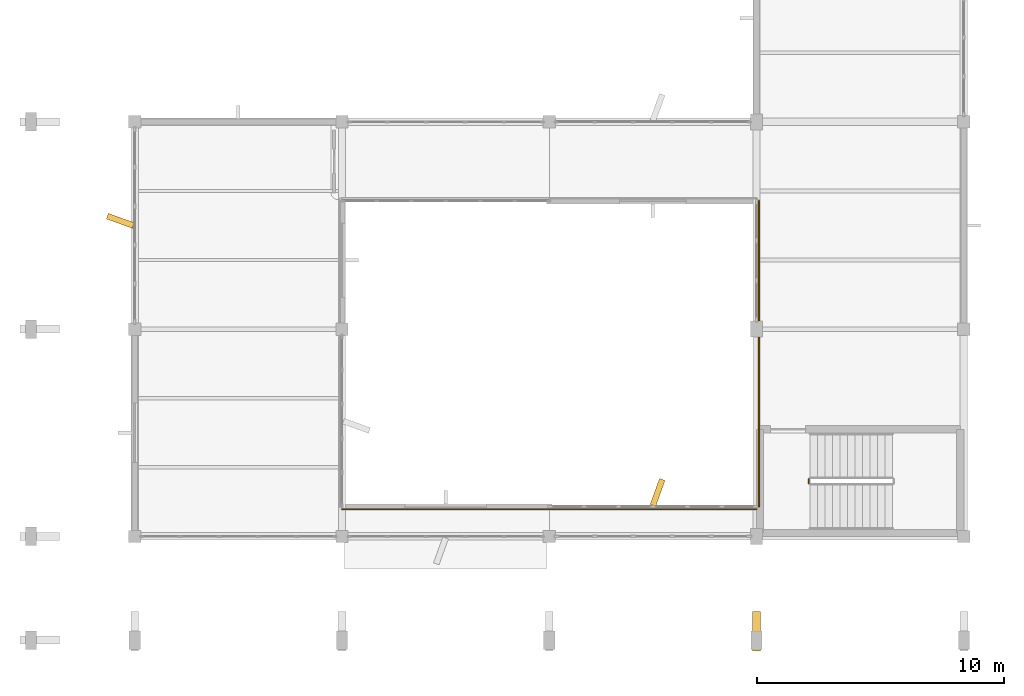
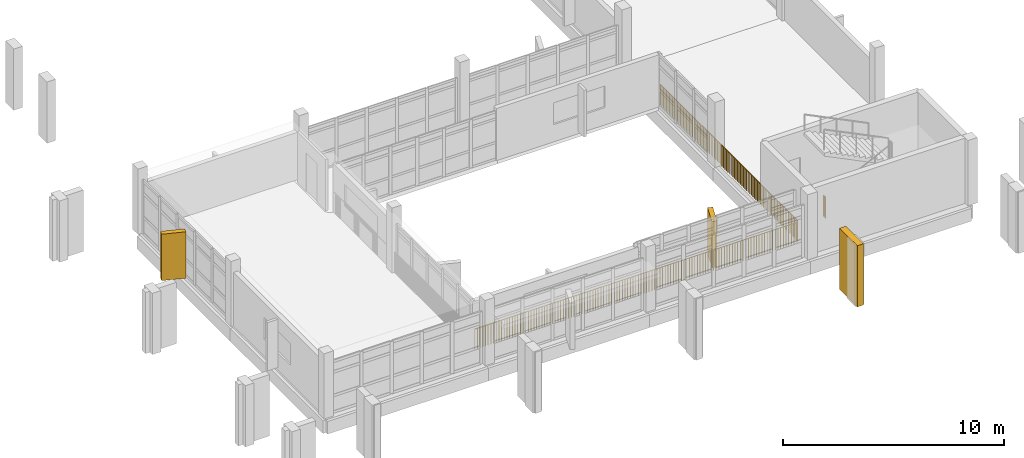
# One storey, part 76 of 104: 3 coverings, 3 railings.
"""IFC4 building model written with IfcOpenShell, lengths in metres."""

from ifc_helpers import new_model, si_unit, direction, frame, origin, origin_2d, place, context, subcontext, project, spatial, rectangle, circle, extrude, material, layer, layer_set, type_object, element, save


model = new_model("IFC4")

# Units and contexts
model_context = context("Model", 3, precision=1e-05, world=origin(), true_north=direction((0.0, 1.0)))
body_context = subcontext(model_context, "Body", "Model", "MODEL_VIEW")
ifc_project = project(units=[si_unit("LENGTHUNIT", "METRE"), si_unit("AREAUNIT", "SQUARE_METRE"), si_unit("VOLUMEUNIT", "CUBIC_METRE"), si_unit("PLANEANGLEUNIT", "RADIAN"), si_unit("MASSUNIT", "GRAM", prefix="KILO")], contexts=[model_context])

# Site, building, storey
site_placement = place(None, origin())
site = spatial("IfcSite", under=ifc_project, at=site_placement, CompositionType="ELEMENT")
building_placement = place(site_placement, origin())
building = spatial("IfcBuilding", under=site, at=building_placement, Name="Vanh Quang Courtyard School", CompositionType="ELEMENT")
storey_placement = place(building_placement, frame((0.0, 0.0, 4.199951171875)))
storey = spatial("IfcBuildingStorey", under=building, at=storey_placement, Name="L01", CompositionType="ELEMENT", Elevation=4.199951171875)

# Coverings
ifc_material_1 = material(Name="Board-marked precast concrete C40/50", Category="concrete")
ifc_layer = layer(ifc_material_1, 0.239990234375)
ifc_layer_set = layer_set([ifc_layer], Name="Board-marked precast concrete C40/50")
covering_type = type_object("IfcCoveringType", Name="COV-HOOD-CONC", PredefinedType="CLADDING", material=ifc_layer_set)
for number, where, z_axis, x_axis, name in (
    (1, (3.614990234375, 16.989990234375, 0.0), (0.0, 0.0, 1.0), (-0.94028812701, 0.340379550213, 0.0), "Covering CH-01 (L01)"),
    (2, (25.389892578125, 5.985107421875, 0.0), (0.0, 0.0, 1.0), (0.340379550213, 0.94028812701, 0.0), "Covering CH-01 (L01)"),
):
    element("IfcCovering", number, at=place(storey_placement, frame(where, z_axis=z_axis, x_axis=x_axis)), inside=storey, type_object=covering_type, Name=name, PredefinedType="CLADDING", context=body_context, shape_type="SweptSolid", body=[
        extrude(rectangle(XDim=1.11669921875, YDim=0.239990234375, at=origin_2d()), origin(), (0.0, 0.0, 1.0), 2.56005859375),
    ])
covering_placement = place(storey_placement, frame((29.39990234375, 0.35009765625, 0.0), z_axis=(0.0, 0.0, 1.0), x_axis=(0.0, 1.0, 0.0)))
element("IfcCovering", 3, at=covering_placement, inside=storey, type_object=covering_type, Name="Covering CH-01 (L01)", PredefinedType="CLADDING", context=body_context, shape_type="SweptSolid", body=[
    extrude(rectangle(XDim=1.60009765625, YDim=0.320068359375, at=origin_2d()), origin(), (0.0, 0.0, 1.0), 3.3798828125),
])

# Railings
ifc_material_2 = material(Name="Galvanised painted steel EN 10025-2 S355J2", Category="steel")
railing_type = type_object("IfcRailingType", Name="RAIL-GUARD-1150", PredefinedType="BALUSTRADE", material=ifc_material_2)
railing_1_placement = place(storey_placement, frame((12.60009765625, 5.300048828125, 0.0)))
element("IfcRailing", 4, at=railing_1_placement, inside=storey, type_object=railing_type, Name="Railing GR-01 (L01)", PredefinedType="BALUSTRADE", context=body_context, shape_type="SweptSolid", body=[
    extrude(circle(Radius=0.02392578125, at=origin_2d()), frame((0.0, 0.0, 1.1259765625), z_axis=(1.0, 0.0, 0.0), x_axis=(0.0, 1.0, 0.0)), (0.0, 0.0, 1.0), 16.7998046875),
    extrude(circle(Radius=0.02099609375, at=origin_2d()), origin(), (0.0, 0.0, 1.0), 1.101806640625),
    extrude(circle(Radius=0.02099609375, at=origin_2d()), frame((0.139892578125, 0.0, 0.0)), (0.0, 0.0, 1.0), 1.101806640625),
    extrude(circle(Radius=0.02099609375, at=origin_2d()), frame((0.280029296875, 0.0, 0.0)), (0.0, 0.0, 1.0), 1.101806640625),
    extrude(circle(Radius=0.02099609375, at=origin_2d()), frame((0.419921875, 0.0, 0.0)), (0.0, 0.0, 1.0), 1.101806640625),
    extrude(circle(Radius=0.02099609375, at=origin_2d()), frame((0.56005859375, 0.0, 0.0)), (0.0, 0.0, 1.0), 1.101806640625),
    extrude(circle(Radius=0.02099609375, at=origin_2d()), frame((0.699951171875, 0.0, 0.0)), (0.0, 0.0, 1.0), 1.101806640625),
    extrude(circle(Radius=0.02099609375, at=origin_2d()), frame((0.840087890625, 0.0, 0.0)), (0.0, 0.0, 1.0), 1.101806640625),
    extrude(circle(Radius=0.02099609375, at=origin_2d()), frame((0.97998046875, 0.0, 0.0)), (0.0, 0.0, 1.0), 1.101806640625),
    extrude(circle(Radius=0.02099609375, at=origin_2d()), frame((1.119873046875, 0.0, 0.0)), (0.0, 0.0, 1.0), 1.101806640625),
    extrude(circle(Radius=0.02099609375, at=origin_2d()), frame((1.260009765625, 0.0, 0.0)), (0.0, 0.0, 1.0), 1.101806640625),
    extrude(circle(Radius=0.02099609375, at=origin_2d()), frame((1.39990234375, 0.0, 0.0)), (0.0, 0.0, 1.0), 1.101806640625),
    extrude(circle(Radius=0.02099609375, at=origin_2d()), frame((1.5400390625, 0.0, 0.0)), (0.0, 0.0, 1.0), 1.101806640625),
    extrude(circle(Radius=0.02099609375, at=origin_2d()), frame((1.679931640625, 0.0, 0.0)), (0.0, 0.0, 1.0), 1.101806640625),
    extrude(circle(Radius=0.02099609375, at=origin_2d()), frame((1.820068359375, 0.0, 0.0)), (0.0, 0.0, 1.0), 1.101806640625),
    extrude(circle(Radius=0.02099609375, at=origin_2d()), frame((1.9599609375, 0.0, 0.0)), (0.0, 0.0, 1.0), 1.101806640625),
    extrude(circle(Radius=0.02099609375, at=origin_2d()), frame((2.10009765625, 0.0, 0.0)), (0.0, 0.0, 1.0), 1.101806640625),
    extrude(circle(Radius=0.02099609375, at=origin_2d()), frame((2.239990234375, 0.0, 0.0)), (0.0, 0.0, 1.0), 1.101806640625),
    extrude(circle(Radius=0.02099609375, at=origin_2d()), frame((2.3798828125, 0.0, 0.0)), (0.0, 0.0, 1.0), 1.101806640625),
    extrude(circle(Radius=0.02099609375, at=origin_2d()), frame((2.52001953125, 0.0, 0.0)), (0.0, 0.0, 1.0), 1.101806640625),
    extrude(circle(Radius=0.02099609375, at=origin_2d()), frame((2.659912109375, 0.0, 0.0)), (0.0, 0.0, 1.0), 1.101806640625),
    extrude(circle(Radius=0.02099609375, at=origin_2d()), frame((2.800048828125, 0.0, 0.0)), (0.0, 0.0, 1.0), 1.101806640625),
    extrude(circle(Radius=0.02099609375, at=origin_2d()), frame((2.93994140625, 0.0, 0.0)), (0.0, 0.0, 1.0), 1.101806640625),
    extrude(circle(Radius=0.02099609375, at=origin_2d()), frame((3.080078125, 0.0, 0.0)), (0.0, 0.0, 1.0), 1.101806640625),
    extrude(circle(Radius=0.02099609375, at=origin_2d()), frame((3.219970703125, 0.0, 0.0)), (0.0, 0.0, 1.0), 1.101806640625),
    extrude(circle(Radius=0.02099609375, at=origin_2d()), frame((3.35986328125, 0.0, 0.0)), (0.0, 0.0, 1.0), 1.101806640625),
    extrude(circle(Radius=0.02099609375, at=origin_2d()), frame((3.5, 0.0, 0.0)), (0.0, 0.0, 1.0), 1.101806640625),
    extrude(circle(Radius=0.02099609375, at=origin_2d()), frame((3.639892578125, 0.0, 0.0)), (0.0, 0.0, 1.0), 1.101806640625),
    extrude(circle(Radius=0.02099609375, at=origin_2d()), frame((3.780029296875, 0.0, 0.0)), (0.0, 0.0, 1.0), 1.101806640625),
    extrude(circle(Radius=0.02099609375, at=origin_2d()), frame((3.919921875, 0.0, 0.0)), (0.0, 0.0, 1.0), 1.101806640625),
    extrude(circle(Radius=0.02099609375, at=origin_2d()), frame((4.06005859375, 0.0, 0.0)), (0.0, 0.0, 1.0), 1.101806640625),
    extrude(circle(Radius=0.02099609375, at=origin_2d()), frame((4.199951171875, 0.0, 0.0)), (0.0, 0.0, 1.0), 1.101806640625),
    extrude(circle(Radius=0.02099609375, at=origin_2d()), frame((4.33984375, 0.0, 0.0)), (0.0, 0.0, 1.0), 1.101806640625),
    extrude(circle(Radius=0.02099609375, at=origin_2d()), frame((4.47998046875, 0.0, 0.0)), (0.0, 0.0, 1.0), 1.101806640625),
    extrude(circle(Radius=0.02099609375, at=origin_2d()), frame((4.619873046875, 0.0, 0.0)), (0.0, 0.0, 1.0), 1.101806640625),
    extrude(circle(Radius=0.02099609375, at=origin_2d()), frame((4.760009765625, 0.0, 0.0)), (0.0, 0.0, 1.0), 1.101806640625),
    extrude(circle(Radius=0.02099609375, at=origin_2d()), frame((4.89990234375, 0.0, 0.0)), (0.0, 0.0, 1.0), 1.101806640625),
    extrude(circle(Radius=0.02099609375, at=origin_2d()), frame((5.0400390625, 0.0, 0.0)), (0.0, 0.0, 1.0), 1.101806640625),
    extrude(circle(Radius=0.02099609375, at=origin_2d()), frame((5.179931640625, 0.0, 0.0)), (0.0, 0.0, 1.0), 1.101806640625),
    extrude(circle(Radius=0.02099609375, at=origin_2d()), frame((5.31982421875, 0.0, 0.0)), (0.0, 0.0, 1.0), 1.101806640625),
    extrude(circle(Radius=0.02099609375, at=origin_2d()), frame((5.4599609375, 0.0, 0.0)), (0.0, 0.0, 1.0), 1.101806640625),
    extrude(circle(Radius=0.02099609375, at=origin_2d()), frame((5.599853515625, 0.0, 0.0)), (0.0, 0.0, 1.0), 1.101806640625),
    extrude(circle(Radius=0.02099609375, at=origin_2d()), frame((5.739990234375, 0.0, 0.0)), (0.0, 0.0, 1.0), 1.101806640625),
    extrude(circle(Radius=0.02099609375, at=origin_2d()), frame((5.8798828125, 0.0, 0.0)), (0.0, 0.0, 1.0), 1.101806640625),
    extrude(circle(Radius=0.02099609375, at=origin_2d()), frame((6.02001953125, 0.0, 0.0)), (0.0, 0.0, 1.0), 1.101806640625),
    extrude(circle(Radius=0.02099609375, at=origin_2d()), frame((6.159912109375, 0.0, 0.0)), (0.0, 0.0, 1.0), 1.101806640625),
    extrude(circle(Radius=0.02099609375, at=origin_2d()), frame((6.2998046875, 0.0, 0.0)), (0.0, 0.0, 1.0), 1.101806640625),
    extrude(circle(Radius=0.02099609375, at=origin_2d()), frame((6.43994140625, 0.0, 0.0)), (0.0, 0.0, 1.0), 1.101806640625),
    extrude(circle(Radius=0.02099609375, at=origin_2d()), frame((6.579833984375, 0.0, 0.0)), (0.0, 0.0, 1.0), 1.101806640625),
    extrude(circle(Radius=0.02099609375, at=origin_2d()), frame((6.719970703125, 0.0, 0.0)), (0.0, 0.0, 1.0), 1.101806640625),
    extrude(circle(Radius=0.02099609375, at=origin_2d()), frame((6.85986328125, 0.0, 0.0)), (0.0, 0.0, 1.0), 1.101806640625),
    extrude(circle(Radius=0.02099609375, at=origin_2d()), frame((7.0, 0.0, 0.0)), (0.0, 0.0, 1.0), 1.101806640625),
    extrude(circle(Radius=0.02099609375, at=origin_2d()), frame((7.139892578125, 0.0, 0.0)), (0.0, 0.0, 1.0), 1.101806640625),
    extrude(circle(Radius=0.02099609375, at=origin_2d()), frame((7.280029296875, 0.0, 0.0)), (0.0, 0.0, 1.0), 1.101806640625),
    extrude(circle(Radius=0.02099609375, at=origin_2d()), frame((7.419921875, 0.0, 0.0)), (0.0, 0.0, 1.0), 1.101806640625),
    extrude(circle(Radius=0.02099609375, at=origin_2d()), frame((7.559814453125, 0.0, 0.0)), (0.0, 0.0, 1.0), 1.101806640625),
    extrude(circle(Radius=0.02099609375, at=origin_2d()), frame((7.699951171875, 0.0, 0.0)), (0.0, 0.0, 1.0), 1.101806640625),
    extrude(circle(Radius=0.02099609375, at=origin_2d()), frame((7.83984375, 0.0, 0.0)), (0.0, 0.0, 1.0), 1.101806640625),
    extrude(circle(Radius=0.02099609375, at=origin_2d()), frame((7.97998046875, 0.0, 0.0)), (0.0, 0.0, 1.0), 1.101806640625),
    extrude(circle(Radius=0.02099609375, at=origin_2d()), frame((8.119873046875, 0.0, 0.0)), (0.0, 0.0, 1.0), 1.101806640625),
    extrude(circle(Radius=0.02099609375, at=origin_2d()), frame((8.260009765625, 0.0, 0.0)), (0.0, 0.0, 1.0), 1.101806640625),
    extrude(circle(Radius=0.02099609375, at=origin_2d()), frame((8.39990234375, 0.0, 0.0)), (0.0, 0.0, 1.0), 1.101806640625),
    extrude(circle(Radius=0.02099609375, at=origin_2d()), frame((8.539794921875, 0.0, 0.0)), (0.0, 0.0, 1.0), 1.101806640625),
    extrude(circle(Radius=0.02099609375, at=origin_2d()), frame((8.679931640625, 0.0, 0.0)), (0.0, 0.0, 1.0), 1.101806640625),
    extrude(circle(Radius=0.02099609375, at=origin_2d()), frame((8.81982421875, 0.0, 0.0)), (0.0, 0.0, 1.0), 1.101806640625),
    extrude(circle(Radius=0.02099609375, at=origin_2d()), frame((8.9599609375, 0.0, 0.0)), (0.0, 0.0, 1.0), 1.101806640625),
    extrude(circle(Radius=0.02099609375, at=origin_2d()), frame((9.099853515625, 0.0, 0.0)), (0.0, 0.0, 1.0), 1.101806640625),
    extrude(circle(Radius=0.02099609375, at=origin_2d()), frame((9.239990234375, 0.0, 0.0)), (0.0, 0.0, 1.0), 1.101806640625),
    extrude(circle(Radius=0.02099609375, at=origin_2d()), frame((9.3798828125, 0.0, 0.0)), (0.0, 0.0, 1.0), 1.101806640625),
    extrude(circle(Radius=0.02099609375, at=origin_2d()), frame((9.519775390625, 0.0, 0.0)), (0.0, 0.0, 1.0), 1.101806640625),
    extrude(circle(Radius=0.02099609375, at=origin_2d()), frame((9.659912109375, 0.0, 0.0)), (0.0, 0.0, 1.0), 1.101806640625),
    extrude(circle(Radius=0.02099609375, at=origin_2d()), frame((9.7998046875, 0.0, 0.0)), (0.0, 0.0, 1.0), 1.101806640625),
    extrude(circle(Radius=0.02099609375, at=origin_2d()), frame((9.93994140625, 0.0, 0.0)), (0.0, 0.0, 1.0), 1.101806640625),
    extrude(circle(Radius=0.02099609375, at=origin_2d()), frame((10.079833984375, 0.0, 0.0)), (0.0, 0.0, 1.0), 1.101806640625),
    extrude(circle(Radius=0.02099609375, at=origin_2d()), frame((10.219970703125, 0.0, 0.0)), (0.0, 0.0, 1.0), 1.101806640625),
    extrude(circle(Radius=0.02099609375, at=origin_2d()), frame((10.35986328125, 0.0, 0.0)), (0.0, 0.0, 1.0), 1.101806640625),
    extrude(circle(Radius=0.02099609375, at=origin_2d()), frame((10.5, 0.0, 0.0)), (0.0, 0.0, 1.0), 1.101806640625),
    extrude(circle(Radius=0.02099609375, at=origin_2d()), frame((10.639892578125, 0.0, 0.0)), (0.0, 0.0, 1.0), 1.101806640625),
    extrude(circle(Radius=0.02099609375, at=origin_2d()), frame((10.77978515625, 0.0, 0.0)), (0.0, 0.0, 1.0), 1.101806640625),
    extrude(circle(Radius=0.02099609375, at=origin_2d()), frame((10.919921875, 0.0, 0.0)), (0.0, 0.0, 1.0), 1.101806640625),
    extrude(circle(Radius=0.02099609375, at=origin_2d()), frame((11.059814453125, 0.0, 0.0)), (0.0, 0.0, 1.0), 1.101806640625),
    extrude(circle(Radius=0.02099609375, at=origin_2d()), frame((11.199951171875, 0.0, 0.0)), (0.0, 0.0, 1.0), 1.101806640625),
    extrude(circle(Radius=0.02099609375, at=origin_2d()), frame((11.33984375, 0.0, 0.0)), (0.0, 0.0, 1.0), 1.101806640625),
    extrude(circle(Radius=0.02099609375, at=origin_2d()), frame((11.47998046875, 0.0, 0.0)), (0.0, 0.0, 1.0), 1.101806640625),
    extrude(circle(Radius=0.02099609375, at=origin_2d()), frame((11.619873046875, 0.0, 0.0)), (0.0, 0.0, 1.0), 1.101806640625),
    extrude(circle(Radius=0.02099609375, at=origin_2d()), frame((11.759765625, 0.0, 0.0)), (0.0, 0.0, 1.0), 1.101806640625),
    extrude(circle(Radius=0.02099609375, at=origin_2d()), frame((11.89990234375, 0.0, 0.0)), (0.0, 0.0, 1.0), 1.101806640625),
    extrude(circle(Radius=0.02099609375, at=origin_2d()), frame((12.039794921875, 0.0, 0.0)), (0.0, 0.0, 1.0), 1.101806640625),
    extrude(circle(Radius=0.02099609375, at=origin_2d()), frame((12.179931640625, 0.0, 0.0)), (0.0, 0.0, 1.0), 1.101806640625),
    extrude(circle(Radius=0.02099609375, at=origin_2d()), frame((12.31982421875, 0.0, 0.0)), (0.0, 0.0, 1.0), 1.101806640625),
    extrude(circle(Radius=0.02099609375, at=origin_2d()), frame((12.4599609375, 0.0, 0.0)), (0.0, 0.0, 1.0), 1.101806640625),
    extrude(circle(Radius=0.02099609375, at=origin_2d()), frame((12.599853515625, 0.0, 0.0)), (0.0, 0.0, 1.0), 1.101806640625),
    extrude(circle(Radius=0.02099609375, at=origin_2d()), frame((12.73974609375, 0.0, 0.0)), (0.0, 0.0, 1.0), 1.101806640625),
    extrude(circle(Radius=0.02099609375, at=origin_2d()), frame((12.8798828125, 0.0, 0.0)), (0.0, 0.0, 1.0), 1.101806640625),
    extrude(circle(Radius=0.02099609375, at=origin_2d()), frame((13.019775390625, 0.0, 0.0)), (0.0, 0.0, 1.0), 1.101806640625),
    extrude(circle(Radius=0.02099609375, at=origin_2d()), frame((13.159912109375, 0.0, 0.0)), (0.0, 0.0, 1.0), 1.101806640625),
    extrude(circle(Radius=0.02099609375, at=origin_2d()), frame((13.2998046875, 0.0, 0.0)), (0.0, 0.0, 1.0), 1.101806640625),
    extrude(circle(Radius=0.02099609375, at=origin_2d()), frame((13.43994140625, 0.0, 0.0)), (0.0, 0.0, 1.0), 1.101806640625),
    extrude(circle(Radius=0.02099609375, at=origin_2d()), frame((13.579833984375, 0.0, 0.0)), (0.0, 0.0, 1.0), 1.101806640625),
    extrude(circle(Radius=0.02099609375, at=origin_2d()), frame((13.7197265625, 0.0, 0.0)), (0.0, 0.0, 1.0), 1.101806640625),
    extrude(circle(Radius=0.02099609375, at=origin_2d()), frame((13.85986328125, 0.0, 0.0)), (0.0, 0.0, 1.0), 1.101806640625),
    extrude(circle(Radius=0.02099609375, at=origin_2d()), frame((13.999755859375, 0.0, 0.0)), (0.0, 0.0, 1.0), 1.101806640625),
    extrude(circle(Radius=0.02099609375, at=origin_2d()), frame((14.139892578125, 0.0, 0.0)), (0.0, 0.0, 1.0), 1.101806640625),
    extrude(circle(Radius=0.02099609375, at=origin_2d()), frame((14.27978515625, 0.0, 0.0)), (0.0, 0.0, 1.0), 1.101806640625),
    extrude(circle(Radius=0.02099609375, at=origin_2d()), frame((14.419921875, 0.0, 0.0)), (0.0, 0.0, 1.0), 1.101806640625),
    extrude(circle(Radius=0.02099609375, at=origin_2d()), frame((14.559814453125, 0.0, 0.0)), (0.0, 0.0, 1.0), 1.101806640625),
    extrude(circle(Radius=0.02099609375, at=origin_2d()), frame((14.69970703125, 0.0, 0.0)), (0.0, 0.0, 1.0), 1.101806640625),
    extrude(circle(Radius=0.02099609375, at=origin_2d()), frame((14.83984375, 0.0, 0.0)), (0.0, 0.0, 1.0), 1.101806640625),
    extrude(circle(Radius=0.02099609375, at=origin_2d()), frame((14.979736328125, 0.0, 0.0)), (0.0, 0.0, 1.0), 1.101806640625),
    extrude(circle(Radius=0.02099609375, at=origin_2d()), frame((15.119873046875, 0.0, 0.0)), (0.0, 0.0, 1.0), 1.101806640625),
    extrude(circle(Radius=0.02099609375, at=origin_2d()), frame((15.259765625, 0.0, 0.0)), (0.0, 0.0, 1.0), 1.101806640625),
    extrude(circle(Radius=0.02099609375, at=origin_2d()), frame((15.39990234375, 0.0, 0.0)), (0.0, 0.0, 1.0), 1.101806640625),
    extrude(circle(Radius=0.02099609375, at=origin_2d()), frame((15.539794921875, 0.0, 0.0)), (0.0, 0.0, 1.0), 1.101806640625),
    extrude(circle(Radius=0.02099609375, at=origin_2d()), frame((15.679931640625, 0.0, 0.0)), (0.0, 0.0, 1.0), 1.101806640625),
    extrude(circle(Radius=0.02099609375, at=origin_2d()), frame((15.81982421875, 0.0, 0.0)), (0.0, 0.0, 1.0), 1.101806640625),
    extrude(circle(Radius=0.02099609375, at=origin_2d()), frame((15.959716796875, 0.0, 0.0)), (0.0, 0.0, 1.0), 1.101806640625),
    extrude(circle(Radius=0.02099609375, at=origin_2d()), frame((16.099853515625, 0.0, 0.0)), (0.0, 0.0, 1.0), 1.101806640625),
    extrude(circle(Radius=0.02099609375, at=origin_2d()), frame((16.23974609375, 0.0, 0.0)), (0.0, 0.0, 1.0), 1.101806640625),
    extrude(circle(Radius=0.02099609375, at=origin_2d()), frame((16.3798828125, 0.0, 0.0)), (0.0, 0.0, 1.0), 1.101806640625),
    extrude(circle(Radius=0.02099609375, at=origin_2d()), frame((16.519775390625, 0.0, 0.0)), (0.0, 0.0, 1.0), 1.101806640625),
    extrude(circle(Radius=0.02099609375, at=origin_2d()), frame((16.659912109375, 0.0, 0.0)), (0.0, 0.0, 1.0), 1.101806640625),
    extrude(circle(Radius=0.02099609375, at=origin_2d()), frame((16.7998046875, 0.0, 0.0)), (0.0, 0.0, 1.0), 1.101806640625),
])
railing_2_placement = place(storey_placement, frame((29.5, 5.39990234375, 0.0)))
element("IfcRailing", 5, at=railing_2_placement, inside=storey, type_object=railing_type, Name="Railing GR-01 (L01)", PredefinedType="BALUSTRADE", context=body_context, shape_type="SweptSolid", body=[
    extrude(circle(Radius=0.02392578125, at=origin_2d()), frame((0.0, 0.0, 1.1259765625), z_axis=(0.0, 1.0, 0.0), x_axis=(-1.0, 0.0, 0.0)), (0.0, 0.0, 1.0), 12.400146484375),
    extrude(circle(Radius=0.02099609375, at=origin_2d()), origin(), (0.0, 0.0, 1.0), 1.101806640625),
    extrude(circle(Radius=0.02099609375, at=origin_2d()), frame((0.0, 0.139404296875, 0.0)), (0.0, 0.0, 1.0), 1.101806640625),
    extrude(circle(Radius=0.02099609375, at=origin_2d()), frame((0.0, 0.278564453125, 0.0)), (0.0, 0.0, 1.0), 1.101806640625),
    extrude(circle(Radius=0.02099609375, at=origin_2d()), frame((0.0, 0.41796875, 0.0)), (0.0, 0.0, 1.0), 1.101806640625),
    extrude(circle(Radius=0.02099609375, at=origin_2d()), frame((0.0, 0.557373046875, 0.0)), (0.0, 0.0, 1.0), 1.101806640625),
    extrude(circle(Radius=0.02099609375, at=origin_2d()), frame((0.0, 0.696533203125, 0.0)), (0.0, 0.0, 1.0), 1.101806640625),
    extrude(circle(Radius=0.02099609375, at=origin_2d()), frame((0.0, 0.8359375, 0.0)), (0.0, 0.0, 1.0), 1.101806640625),
    extrude(circle(Radius=0.02099609375, at=origin_2d()), frame((0.0, 0.975341796875, 0.0)), (0.0, 0.0, 1.0), 1.101806640625),
    extrude(circle(Radius=0.02099609375, at=origin_2d()), frame((0.0, 1.114501953125, 0.0)), (0.0, 0.0, 1.0), 1.101806640625),
    extrude(circle(Radius=0.02099609375, at=origin_2d()), frame((0.0, 1.25390625, 0.0)), (0.0, 0.0, 1.0), 1.101806640625),
    extrude(circle(Radius=0.02099609375, at=origin_2d()), frame((0.0, 1.393310546875, 0.0)), (0.0, 0.0, 1.0), 1.101806640625),
    extrude(circle(Radius=0.02099609375, at=origin_2d()), frame((0.0, 1.53271484375, 0.0)), (0.0, 0.0, 1.0), 1.101806640625),
    extrude(circle(Radius=0.02099609375, at=origin_2d()), frame((0.0, 1.671875, 0.0)), (0.0, 0.0, 1.0), 1.101806640625),
    extrude(circle(Radius=0.02099609375, at=origin_2d()), frame((0.0, 1.811279296875, 0.0)), (0.0, 0.0, 1.0), 1.101806640625),
    extrude(circle(Radius=0.02099609375, at=origin_2d()), frame((0.0, 1.95068359375, 0.0)), (0.0, 0.0, 1.0), 1.101806640625),
    extrude(circle(Radius=0.02099609375, at=origin_2d()), frame((0.0, 2.08984375, 0.0)), (0.0, 0.0, 1.0), 1.101806640625),
    extrude(circle(Radius=0.02099609375, at=origin_2d()), frame((0.0, 2.229248046875, 0.0)), (0.0, 0.0, 1.0), 1.101806640625),
    extrude(circle(Radius=0.02099609375, at=origin_2d()), frame((0.0, 2.36865234375, 0.0)), (0.0, 0.0, 1.0), 1.101806640625),
    extrude(circle(Radius=0.02099609375, at=origin_2d()), frame((0.0, 2.5078125, 0.0)), (0.0, 0.0, 1.0), 1.101806640625),
    extrude(circle(Radius=0.02099609375, at=origin_2d()), frame((0.0, 2.647216796875, 0.0)), (0.0, 0.0, 1.0), 1.101806640625),
    extrude(circle(Radius=0.02099609375, at=origin_2d()), frame((0.0, 2.78662109375, 0.0)), (0.0, 0.0, 1.0), 1.101806640625),
    extrude(circle(Radius=0.02099609375, at=origin_2d()), frame((0.0, 2.92578125, 0.0)), (0.0, 0.0, 1.0), 1.101806640625),
    extrude(circle(Radius=0.02099609375, at=origin_2d()), frame((0.0, 3.065185546875, 0.0)), (0.0, 0.0, 1.0), 1.101806640625),
    extrude(circle(Radius=0.02099609375, at=origin_2d()), frame((0.0, 3.20458984375, 0.0)), (0.0, 0.0, 1.0), 1.101806640625),
    extrude(circle(Radius=0.02099609375, at=origin_2d()), frame((0.0, 3.34375, 0.0)), (0.0, 0.0, 1.0), 1.101806640625),
    extrude(circle(Radius=0.02099609375, at=origin_2d()), frame((0.0, 3.483154296875, 0.0)), (0.0, 0.0, 1.0), 1.101806640625),
    extrude(circle(Radius=0.02099609375, at=origin_2d()), frame((0.0, 3.62255859375, 0.0)), (0.0, 0.0, 1.0), 1.101806640625),
    extrude(circle(Radius=0.02099609375, at=origin_2d()), frame((0.0, 3.761962890625, 0.0)), (0.0, 0.0, 1.0), 1.101806640625),
    extrude(circle(Radius=0.02099609375, at=origin_2d()), frame((0.0, 3.901123046875, 0.0)), (0.0, 0.0, 1.0), 1.101806640625),
    extrude(circle(Radius=0.02099609375, at=origin_2d()), frame((0.0, 4.04052734375, 0.0)), (0.0, 0.0, 1.0), 1.101806640625),
    extrude(circle(Radius=0.02099609375, at=origin_2d()), frame((0.0, 4.179931640625, 0.0)), (0.0, 0.0, 1.0), 1.101806640625),
    extrude(circle(Radius=0.02099609375, at=origin_2d()), frame((0.0, 4.319091796875, 0.0)), (0.0, 0.0, 1.0), 1.101806640625),
    extrude(circle(Radius=0.02099609375, at=origin_2d()), frame((0.0, 4.45849609375, 0.0)), (0.0, 0.0, 1.0), 1.101806640625),
    extrude(circle(Radius=0.02099609375, at=origin_2d()), frame((0.0, 4.597900390625, 0.0)), (0.0, 0.0, 1.0), 1.101806640625),
    extrude(circle(Radius=0.02099609375, at=origin_2d()), frame((0.0, 4.737060546875, 0.0)), (0.0, 0.0, 1.0), 1.101806640625),
    extrude(circle(Radius=0.02099609375, at=origin_2d()), frame((0.0, 4.87646484375, 0.0)), (0.0, 0.0, 1.0), 1.101806640625),
    extrude(circle(Radius=0.02099609375, at=origin_2d()), frame((0.0, 5.015869140625, 0.0)), (0.0, 0.0, 1.0), 1.101806640625),
    extrude(circle(Radius=0.02099609375, at=origin_2d()), frame((0.0, 5.155029296875, 0.0)), (0.0, 0.0, 1.0), 1.101806640625),
    extrude(circle(Radius=0.02099609375, at=origin_2d()), frame((0.0, 5.29443359375, 0.0)), (0.0, 0.0, 1.0), 1.101806640625),
    extrude(circle(Radius=0.02099609375, at=origin_2d()), frame((0.0, 5.433837890625, 0.0)), (0.0, 0.0, 1.0), 1.101806640625),
    extrude(circle(Radius=0.02099609375, at=origin_2d()), frame((0.0, 5.572998046875, 0.0)), (0.0, 0.0, 1.0), 1.101806640625),
    extrude(circle(Radius=0.02099609375, at=origin_2d()), frame((0.0, 5.71240234375, 0.0)), (0.0, 0.0, 1.0), 1.101806640625),
    extrude(circle(Radius=0.02099609375, at=origin_2d()), frame((0.0, 5.851806640625, 0.0)), (0.0, 0.0, 1.0), 1.101806640625),
    extrude(circle(Radius=0.02099609375, at=origin_2d()), frame((0.0, 5.990966796875, 0.0)), (0.0, 0.0, 1.0), 1.101806640625),
    extrude(circle(Radius=0.02099609375, at=origin_2d()), frame((0.0, 6.13037109375, 0.0)), (0.0, 0.0, 1.0), 1.101806640625),
    extrude(circle(Radius=0.02099609375, at=origin_2d()), frame((0.0, 6.269775390625, 0.0)), (0.0, 0.0, 1.0), 1.101806640625),
    extrude(circle(Radius=0.02099609375, at=origin_2d()), frame((0.0, 6.4091796875, 0.0)), (0.0, 0.0, 1.0), 1.101806640625),
    extrude(circle(Radius=0.02099609375, at=origin_2d()), frame((0.0, 6.54833984375, 0.0)), (0.0, 0.0, 1.0), 1.101806640625),
    extrude(circle(Radius=0.02099609375, at=origin_2d()), frame((0.0, 6.687744140625, 0.0)), (0.0, 0.0, 1.0), 1.101806640625),
    extrude(circle(Radius=0.02099609375, at=origin_2d()), frame((0.0, 6.8271484375, 0.0)), (0.0, 0.0, 1.0), 1.101806640625),
    extrude(circle(Radius=0.02099609375, at=origin_2d()), frame((0.0, 6.96630859375, 0.0)), (0.0, 0.0, 1.0), 1.101806640625),
    extrude(circle(Radius=0.02099609375, at=origin_2d()), frame((0.0, 7.105712890625, 0.0)), (0.0, 0.0, 1.0), 1.101806640625),
    extrude(circle(Radius=0.02099609375, at=origin_2d()), frame((0.0, 7.2451171875, 0.0)), (0.0, 0.0, 1.0), 1.101806640625),
    extrude(circle(Radius=0.02099609375, at=origin_2d()), frame((0.0, 7.38427734375, 0.0)), (0.0, 0.0, 1.0), 1.101806640625),
    extrude(circle(Radius=0.02099609375, at=origin_2d()), frame((0.0, 7.523681640625, 0.0)), (0.0, 0.0, 1.0), 1.101806640625),
    extrude(circle(Radius=0.02099609375, at=origin_2d()), frame((0.0, 7.6630859375, 0.0)), (0.0, 0.0, 1.0), 1.101806640625),
    extrude(circle(Radius=0.02099609375, at=origin_2d()), frame((0.0, 7.80224609375, 0.0)), (0.0, 0.0, 1.0), 1.101806640625),
    extrude(circle(Radius=0.02099609375, at=origin_2d()), frame((0.0, 7.941650390625, 0.0)), (0.0, 0.0, 1.0), 1.101806640625),
    extrude(circle(Radius=0.02099609375, at=origin_2d()), frame((0.0, 8.0810546875, 0.0)), (0.0, 0.0, 1.0), 1.101806640625),
    extrude(circle(Radius=0.02099609375, at=origin_2d()), frame((0.0, 8.22021484375, 0.0)), (0.0, 0.0, 1.0), 1.101806640625),
    extrude(circle(Radius=0.02099609375, at=origin_2d()), frame((0.0, 8.359619140625, 0.0)), (0.0, 0.0, 1.0), 1.101806640625),
    extrude(circle(Radius=0.02099609375, at=origin_2d()), frame((0.0, 8.4990234375, 0.0)), (0.0, 0.0, 1.0), 1.101806640625),
    extrude(circle(Radius=0.02099609375, at=origin_2d()), frame((0.0, 8.63818359375, 0.0)), (0.0, 0.0, 1.0), 1.101806640625),
    extrude(circle(Radius=0.02099609375, at=origin_2d()), frame((0.0, 8.777587890625, 0.0)), (0.0, 0.0, 1.0), 1.101806640625),
    extrude(circle(Radius=0.02099609375, at=origin_2d()), frame((0.0, 8.9169921875, 0.0)), (0.0, 0.0, 1.0), 1.101806640625),
    extrude(circle(Radius=0.02099609375, at=origin_2d()), frame((0.0, 9.056396484375, 0.0)), (0.0, 0.0, 1.0), 1.101806640625),
    extrude(circle(Radius=0.02099609375, at=origin_2d()), frame((0.0, 9.195556640625, 0.0)), (0.0, 0.0, 1.0), 1.101806640625),
    extrude(circle(Radius=0.02099609375, at=origin_2d()), frame((0.0, 9.3349609375, 0.0)), (0.0, 0.0, 1.0), 1.101806640625),
    extrude(circle(Radius=0.02099609375, at=origin_2d()), frame((0.0, 9.474365234375, 0.0)), (0.0, 0.0, 1.0), 1.101806640625),
    extrude(circle(Radius=0.02099609375, at=origin_2d()), frame((0.0, 9.613525390625, 0.0)), (0.0, 0.0, 1.0), 1.101806640625),
    extrude(circle(Radius=0.02099609375, at=origin_2d()), frame((0.0, 9.7529296875, 0.0)), (0.0, 0.0, 1.0), 1.101806640625),
    extrude(circle(Radius=0.02099609375, at=origin_2d()), frame((0.0, 9.892333984375, 0.0)), (0.0, 0.0, 1.0), 1.101806640625),
    extrude(circle(Radius=0.02099609375, at=origin_2d()), frame((0.0, 10.031494140625, 0.0)), (0.0, 0.0, 1.0), 1.101806640625),
    extrude(circle(Radius=0.02099609375, at=origin_2d()), frame((0.0, 10.1708984375, 0.0)), (0.0, 0.0, 1.0), 1.101806640625),
    extrude(circle(Radius=0.02099609375, at=origin_2d()), frame((0.0, 10.310302734375, 0.0)), (0.0, 0.0, 1.0), 1.101806640625),
    extrude(circle(Radius=0.02099609375, at=origin_2d()), frame((0.0, 10.449462890625, 0.0)), (0.0, 0.0, 1.0), 1.101806640625),
    extrude(circle(Radius=0.02099609375, at=origin_2d()), frame((0.0, 10.5888671875, 0.0)), (0.0, 0.0, 1.0), 1.101806640625),
    extrude(circle(Radius=0.02099609375, at=origin_2d()), frame((0.0, 10.728271484375, 0.0)), (0.0, 0.0, 1.0), 1.101806640625),
    extrude(circle(Radius=0.02099609375, at=origin_2d()), frame((0.0, 10.867431640625, 0.0)), (0.0, 0.0, 1.0), 1.101806640625),
    extrude(circle(Radius=0.02099609375, at=origin_2d()), frame((0.0, 11.0068359375, 0.0)), (0.0, 0.0, 1.0), 1.101806640625),
    extrude(circle(Radius=0.02099609375, at=origin_2d()), frame((0.0, 11.146240234375, 0.0)), (0.0, 0.0, 1.0), 1.101806640625),
    extrude(circle(Radius=0.02099609375, at=origin_2d()), frame((0.0, 11.28564453125, 0.0)), (0.0, 0.0, 1.0), 1.101806640625),
    extrude(circle(Radius=0.02099609375, at=origin_2d()), frame((0.0, 11.4248046875, 0.0)), (0.0, 0.0, 1.0), 1.101806640625),
    extrude(circle(Radius=0.02099609375, at=origin_2d()), frame((0.0, 11.564208984375, 0.0)), (0.0, 0.0, 1.0), 1.101806640625),
    extrude(circle(Radius=0.02099609375, at=origin_2d()), frame((0.0, 11.70361328125, 0.0)), (0.0, 0.0, 1.0), 1.101806640625),
    extrude(circle(Radius=0.02099609375, at=origin_2d()), frame((0.0, 11.8427734375, 0.0)), (0.0, 0.0, 1.0), 1.101806640625),
    extrude(circle(Radius=0.02099609375, at=origin_2d()), frame((0.0, 11.982177734375, 0.0)), (0.0, 0.0, 1.0), 1.101806640625),
    extrude(circle(Radius=0.02099609375, at=origin_2d()), frame((0.0, 12.12158203125, 0.0)), (0.0, 0.0, 1.0), 1.101806640625),
    extrude(circle(Radius=0.02099609375, at=origin_2d()), frame((0.0, 12.2607421875, 0.0)), (0.0, 0.0, 1.0), 1.101806640625),
    extrude(circle(Radius=0.02099609375, at=origin_2d()), frame((0.0, 12.400146484375, 0.0)), (0.0, 0.0, 1.0), 1.101806640625),
])
railing_3_placement = place(storey_placement, frame((31.510009765625, 6.360107421875, 0.0)))
element("IfcRailing", 6, at=railing_3_placement, inside=storey, type_object=railing_type, Name="L01 ST-06 stair guard 4", PredefinedType="BALUSTRADE", context=body_context, shape_type="SweptSolid", body=[
    extrude(circle(Radius=0.02392578125, at=origin_2d()), frame((0.0, 0.0, 1.1259765625), z_axis=(0.0, 1.0, 0.0), x_axis=(-1.0, 0.0, 0.0)), (0.0, 0.0, 1.0), 0.159912109375),
    extrude(circle(Radius=0.02099609375, at=origin_2d()), origin(), (0.0, 0.0, 1.0), 1.101806640625),
    extrude(circle(Radius=0.02099609375, at=origin_2d()), frame((0.0, 0.159912109375, 0.0)), (0.0, 0.0, 1.0), 1.101806640625),
])

save(model, "model.ifc")
